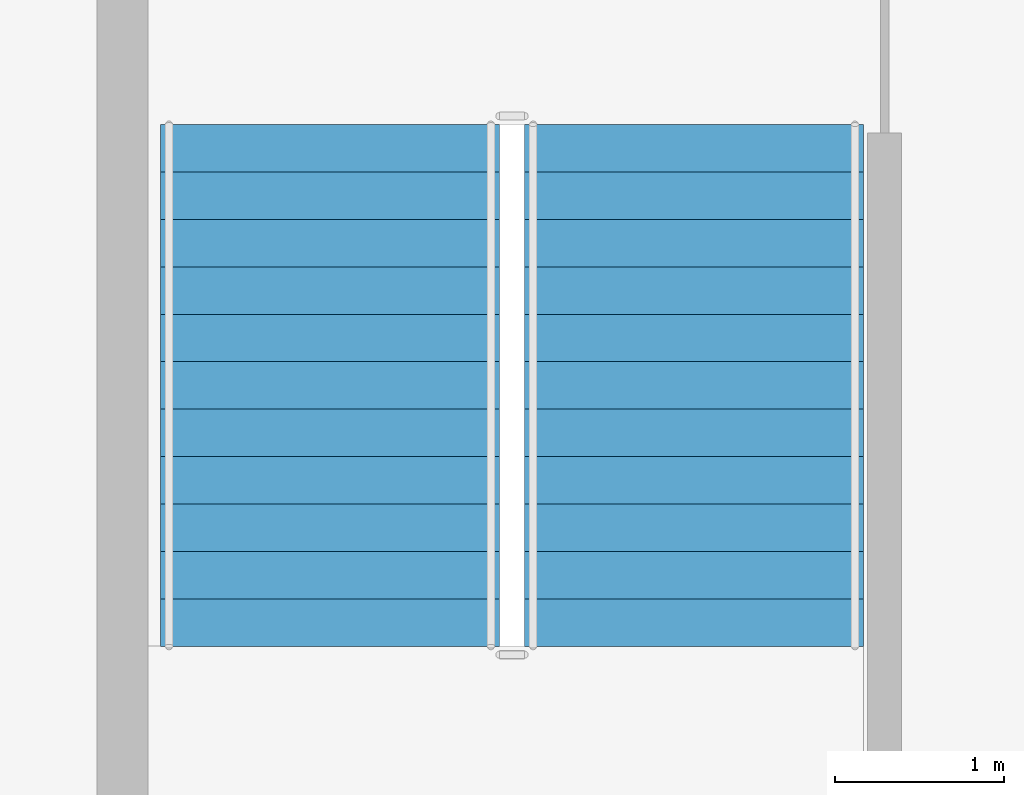
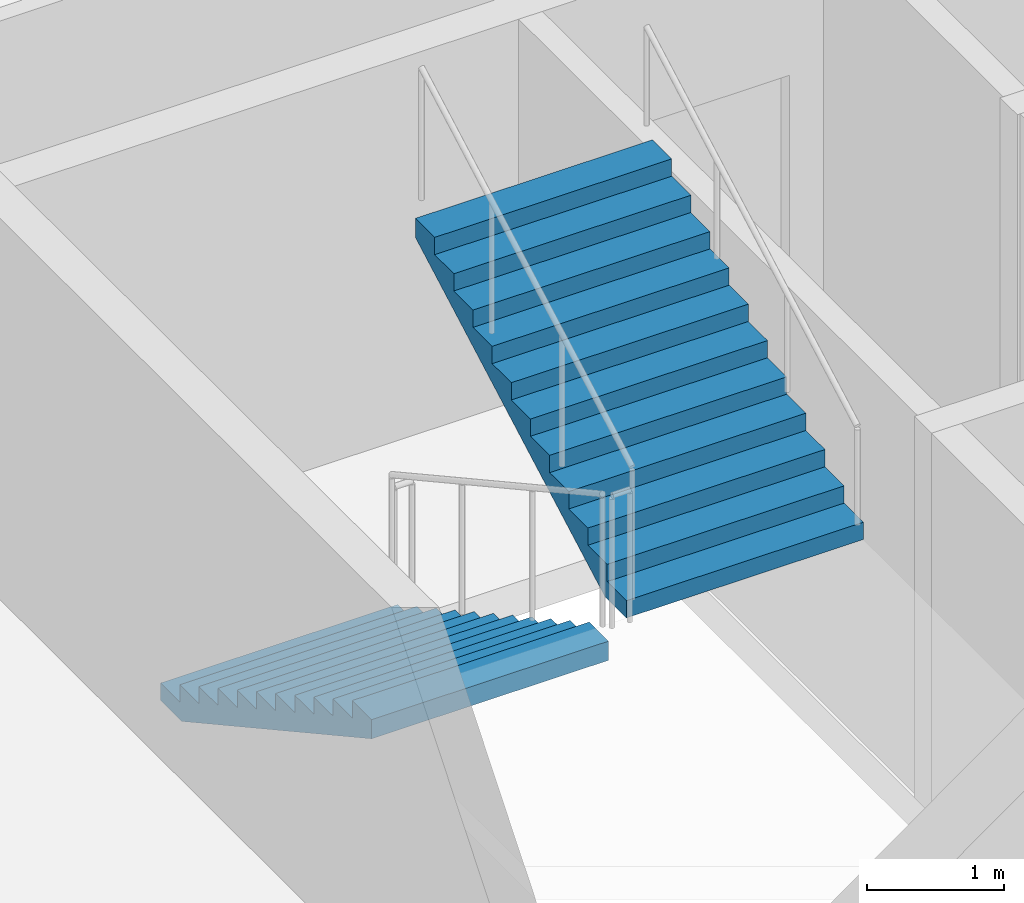
# One storey, part 6 of 10: 2 stair flights, 1 element without a shape of its own.
"""IFC4 building model written with IfcOpenShell, lengths in metres."""

from ifc_helpers import new_model, si_unit, direction, frame, origin, place, context, subcontext, project, spatial, polygons, material, type_object, element, aggregate, save


model = new_model("IFC4")

# Units and contexts
model_context = context("Model", 3, precision=1e-05, world=origin(), true_north=direction((0.0, 1.0)))
body_context = subcontext(model_context, "Body", "Model", "MODEL_VIEW")
ifc_project = project(units=[si_unit("LENGTHUNIT", "METRE"), si_unit("AREAUNIT", "SQUARE_METRE"), si_unit("VOLUMEUNIT", "CUBIC_METRE"), si_unit("PLANEANGLEUNIT", "RADIAN"), si_unit("MASSUNIT", "GRAM", prefix="KILO")], contexts=[model_context])

# Site, building, storey
site_placement = place(None, origin())
site = spatial("IfcSite", under=ifc_project, at=site_placement, CompositionType="ELEMENT")
building_placement = place(site_placement, origin())
building = spatial("IfcBuilding", under=site, at=building_placement, Name="Caravel Reach Hotel and Residences", CompositionType="ELEMENT")
storey_placement = place(building_placement, frame((0.0, 0.0, 290.800048828125)))
storey = spatial("IfcBuildingStorey", under=building, at=storey_placement, Name="L74", CompositionType="ELEMENT", Elevation=290.800048828125)

# Stair, stair flights
ifc_material_1 = material(Name="Concrete C40", Category="concrete")
stair_type = type_object("IfcStairType", Name="Core stair", PredefinedType="HALF_TURN_STAIR", material=ifc_material_1)
stair_placement = place(storey_placement, origin())
stair = element("IfcStair", 1, at=stair_placement, inside=storey, type_object=stair_type, Name="L74 Exit stair A", PredefinedType="HALF_TURN_STAIR")
ifc_material_2 = material(Name="Concrete C40", Category="concrete")
stair_flight_type = type_object("IfcStairFlightType", Name="Core stair flight", PredefinedType="STRAIGHT", material=ifc_material_2)
stair_flight_1_placement = place(storey_placement, frame((19.22509765625, 29.35009765625, 0.0), z_axis=(0.0, 0.0, 1.0), x_axis=(0.0, -1.0, 0.0)))
stair_flight_1 = element("IfcStairFlight", 2, at=stair_flight_1_placement, type_object=stair_flight_type, Name="ST-A flight 1", NumberOfRisers=12, NumberOfTreads=11, PredefinedType="STRAIGHT", RiserHeight=0.154166667, TreadLength=0.28, context=body_context, shape_type="Tessellation", body=[
    polygons([(0.3107950034306102, 1.0, 0.0), (0.3107950034306102, 0.6666666666666667, 0.0), (0.3107950034306102, 0.33333333333333337, 0.0), (0.3107950034306102, 0.0, 0.0), (0.3107950034306102, -0.33333333333333326, 0.0), (0.3107950034306102, -0.6666666666666667, 0.0), (0.3107950034306102, -1.0, 0.0), (3.081, 1.0, 1.524711087717319), (3.081, 0.6666666666666667, 1.524711087717319), (3.081, 0.33333333333333337, 1.524711087717319), (3.081, 0.0, 1.524711087717319), (3.081, -0.33333333333333326, 1.524711087717319), (3.081, -0.6666666666666667, 1.524711087717319), (3.081, -1.0, 1.524711087717319), (3.081, 1.0, 1.695833337), (3.081, 0.6666666666666667, 1.695833337), (3.081, 0.33333333333333337, 1.695833337), (3.081, 0.0, 1.695833337), (3.081, -0.33333333333333326, 1.695833337), (3.081, -0.6666666666666667, 1.695833337), (3.081, -1.0, 1.695833337), (2.8000000000000003, 1.0, 1.695833337), (2.8000000000000003, 0.6666666666666667, 1.695833337), (2.8000000000000003, 0.33333333333333337, 1.695833337), (2.8000000000000003, 0.0, 1.695833337), (2.8000000000000003, -0.33333333333333326, 1.695833337), (2.8000000000000003, -0.6666666666666667, 1.695833337), (2.8000000000000003, -1.0, 1.695833337), (2.8000000000000003, 1.0, 1.5416666700000001), (2.8000000000000003, 0.6666666666666667, 1.5416666700000001), (2.8000000000000003, 0.33333333333333337, 1.5416666700000001), (2.8000000000000003, 0.0, 1.5416666700000001), (2.8000000000000003, -0.33333333333333326, 1.5416666700000001), (2.8000000000000003, -0.6666666666666667, 1.5416666700000001), (2.8000000000000003, -1.0, 1.5416666700000001), (2.5200000000000005, 1.0, 1.5416666700000001), (2.5200000000000005, 0.6666666666666667, 1.5416666700000001), (2.5200000000000005, 0.33333333333333337, 1.5416666700000001), (2.5200000000000005, 0.0, 1.5416666700000001), (2.5200000000000005, -0.33333333333333326, 1.5416666700000001), (2.5200000000000005, -0.6666666666666667, 1.5416666700000001), (2.5200000000000005, -1.0, 1.5416666700000001), (2.5200000000000005, 1.0, 1.387500003), (2.5200000000000005, 0.6666666666666667, 1.387500003), (2.5200000000000005, 0.33333333333333337, 1.387500003), (2.5200000000000005, 0.0, 1.387500003), (2.5200000000000005, -0.33333333333333326, 1.387500003), (2.5200000000000005, -0.6666666666666667, 1.387500003), (2.5200000000000005, -1.0, 1.387500003), (2.24, 1.0, 1.387500003), (2.24, 0.6666666666666667, 1.387500003), (2.24, 0.33333333333333337, 1.387500003), (2.24, 0.0, 1.387500003), (2.24, -0.33333333333333326, 1.387500003), (2.24, -0.6666666666666667, 1.387500003), (2.24, -1.0, 1.387500003), (2.24, 1.0, 1.233333336), (2.24, 0.6666666666666667, 1.233333336), (2.24, 0.33333333333333337, 1.233333336), (2.24, 0.0, 1.233333336), (2.24, -0.33333333333333326, 1.233333336), (2.24, -0.6666666666666667, 1.233333336), (2.24, -1.0, 1.233333336), (1.9600000000000002, 1.0, 1.233333336), (1.9600000000000002, 0.6666666666666667, 1.233333336), (1.9600000000000002, 0.33333333333333337, 1.233333336), (1.9600000000000002, 0.0, 1.233333336), (1.9600000000000002, -0.33333333333333326, 1.233333336), (1.9600000000000002, -0.6666666666666667, 1.233333336), (1.9600000000000002, -1.0, 1.233333336), (1.9600000000000002, 1.0, 1.0791666690000001), (1.9600000000000002, 0.6666666666666667, 1.0791666690000001), (1.9600000000000002, 0.33333333333333337, 1.0791666690000001), (1.9600000000000002, 0.0, 1.0791666690000001), (1.9600000000000002, -0.33333333333333326, 1.0791666690000001), (1.9600000000000002, -0.6666666666666667, 1.0791666690000001), (1.9600000000000002, -1.0, 1.0791666690000001), (1.6800000000000002, 1.0, 1.0791666690000001), (1.6800000000000002, 0.6666666666666667, 1.0791666690000001), (1.6800000000000002, 0.33333333333333337, 1.0791666690000001), (1.6800000000000002, 0.0, 1.0791666690000001), (1.6800000000000002, -0.33333333333333326, 1.0791666690000001), (1.6800000000000002, -0.6666666666666667, 1.0791666690000001), (1.6800000000000002, -1.0, 1.0791666690000001), (1.6800000000000002, 1.0, 0.925000002), (1.6800000000000002, 0.6666666666666667, 0.925000002), (1.6800000000000002, 0.33333333333333337, 0.925000002), (1.6800000000000002, 0.0, 0.925000002), (1.6800000000000002, -0.33333333333333326, 0.925000002), (1.6800000000000002, -0.6666666666666667, 0.925000002), (1.6800000000000002, -1.0, 0.925000002), (1.4000000000000001, 1.0, 0.925000002), (1.4000000000000001, 0.6666666666666667, 0.925000002), (1.4000000000000001, 0.33333333333333337, 0.925000002), (1.4000000000000001, 0.0, 0.925000002), (1.4000000000000001, -0.33333333333333326, 0.925000002), (1.4000000000000001, -0.6666666666666667, 0.925000002), (1.4000000000000001, -1.0, 0.925000002), (1.4000000000000001, 1.0, 0.7708333350000001), (1.4000000000000001, 0.6666666666666667, 0.7708333350000001), (1.4000000000000001, 0.33333333333333337, 0.7708333350000001), (1.4000000000000001, 0.0, 0.7708333350000001), (1.4000000000000001, -0.33333333333333326, 0.7708333350000001), (1.4000000000000001, -0.6666666666666667, 0.7708333350000001), (1.4000000000000001, -1.0, 0.7708333350000001), (1.12, 1.0, 0.7708333350000001), (1.12, 0.6666666666666667, 0.7708333350000001), (1.12, 0.33333333333333337, 0.7708333350000001), (1.12, 0.0, 0.7708333350000001), (1.12, -0.33333333333333326, 0.7708333350000001), (1.12, -0.6666666666666667, 0.7708333350000001), (1.12, -1.0, 0.7708333350000001), (1.12, 1.0, 0.616666668), (1.12, 0.6666666666666667, 0.616666668), (1.12, 0.33333333333333337, 0.616666668), (1.12, 0.0, 0.616666668), (1.12, -0.33333333333333326, 0.616666668), (1.12, -0.6666666666666667, 0.616666668), (1.12, -1.0, 0.616666668), (0.8400000000000001, 1.0, 0.616666668), (0.8400000000000001, 0.6666666666666667, 0.616666668), (0.8400000000000001, 0.33333333333333337, 0.616666668), (0.8400000000000001, 0.0, 0.616666668), (0.8400000000000001, -0.33333333333333326, 0.616666668), (0.8400000000000001, -0.6666666666666667, 0.616666668), (0.8400000000000001, -1.0, 0.616666668), (0.8400000000000001, 1.0, 0.462500001), (0.8400000000000001, 0.6666666666666667, 0.462500001), (0.8400000000000001, 0.33333333333333337, 0.462500001), (0.8400000000000001, 0.0, 0.462500001), (0.8400000000000001, -0.33333333333333326, 0.462500001), (0.8400000000000001, -0.6666666666666667, 0.462500001), (0.8400000000000001, -1.0, 0.462500001), (0.56, 1.0, 0.462500001), (0.56, 0.6666666666666667, 0.462500001), (0.56, 0.33333333333333337, 0.462500001), (0.56, 0.0, 0.462500001), (0.56, -0.33333333333333326, 0.462500001), (0.56, -0.6666666666666667, 0.462500001), (0.56, -1.0, 0.462500001), (0.56, 1.0, 0.308333334), (0.56, 0.6666666666666667, 0.308333334), (0.56, 0.33333333333333337, 0.308333334), (0.56, 0.0, 0.308333334), (0.56, -0.33333333333333326, 0.308333334), (0.56, -0.6666666666666667, 0.308333334), (0.56, -1.0, 0.308333334), (0.28, 1.0, 0.308333334), (0.28, 0.6666666666666667, 0.308333334), (0.28, 0.33333333333333337, 0.308333334), (0.28, 0.0, 0.308333334), (0.28, -0.33333333333333326, 0.308333334), (0.28, -0.6666666666666667, 0.308333334), (0.28, -1.0, 0.308333334), (0.28, 1.0, 0.154166667), (0.28, 0.6666666666666667, 0.154166667), (0.28, 0.33333333333333337, 0.154166667), (0.28, 0.0, 0.154166667), (0.28, -0.33333333333333326, 0.154166667), (0.28, -0.6666666666666667, 0.154166667), (0.28, -1.0, 0.154166667), (-0.001, 1.0, 0.154166667), (-0.001, 0.6666666666666667, 0.154166667), (-0.001, 0.33333333333333337, 0.154166667), (-0.001, 0.0, 0.154166667), (-0.001, -0.33333333333333326, 0.154166667), (-0.001, -0.6666666666666667, 0.154166667), (-0.001, -1.0, 0.154166667), (-0.001, 1.0, 0.0), (-0.001, 0.6666666666666667, 0.0), (-0.001, 0.33333333333333337, 0.0), (-0.001, 0.0, 0.0), (-0.001, -0.33333333333333326, 0.0), (-0.001, -0.6666666666666667, 0.0), (-0.001, -1.0, 0.0)], [[[169, 162, 155, 148, 141, 134, 127, 120, 113, 106, 99, 92, 85, 78, 71, 64, 57, 50, 43, 36, 29, 22, 15, 8, 1]], [[7, 14, 21, 28, 35, 42, 49, 56, 63, 70, 77, 84, 91, 98, 105, 112, 119, 126, 133, 140, 147, 154, 161, 168, 175]], [[1, 8, 9, 2]], [[2, 9, 10, 3]], [[3, 10, 11, 4]], [[4, 11, 12, 5]], [[5, 12, 13, 6]], [[6, 13, 14, 7]], [[8, 15, 16, 9]], [[9, 16, 17, 10]], [[10, 17, 18, 11]], [[11, 18, 19, 12]], [[12, 19, 20, 13]], [[13, 20, 21, 14]], [[15, 22, 23, 16]], [[16, 23, 24, 17]], [[17, 24, 25, 18]], [[18, 25, 26, 19]], [[19, 26, 27, 20]], [[20, 27, 28, 21]], [[22, 29, 30, 23]], [[23, 30, 31, 24]], [[24, 31, 32, 25]], [[25, 32, 33, 26]], [[26, 33, 34, 27]], [[27, 34, 35, 28]], [[29, 36, 37, 30]], [[30, 37, 38, 31]], [[31, 38, 39, 32]], [[32, 39, 40, 33]], [[33, 40, 41, 34]], [[34, 41, 42, 35]], [[36, 43, 44, 37]], [[37, 44, 45, 38]], [[38, 45, 46, 39]], [[39, 46, 47, 40]], [[40, 47, 48, 41]], [[41, 48, 49, 42]], [[43, 50, 51, 44]], [[44, 51, 52, 45]], [[45, 52, 53, 46]], [[46, 53, 54, 47]], [[47, 54, 55, 48]], [[48, 55, 56, 49]], [[50, 57, 58, 51]], [[51, 58, 59, 52]], [[52, 59, 60, 53]], [[53, 60, 61, 54]], [[54, 61, 62, 55]], [[55, 62, 63, 56]], [[57, 64, 65, 58]], [[58, 65, 66, 59]], [[59, 66, 67, 60]], [[60, 67, 68, 61]], [[61, 68, 69, 62]], [[62, 69, 70, 63]], [[64, 71, 72, 65]], [[65, 72, 73, 66]], [[66, 73, 74, 67]], [[67, 74, 75, 68]], [[68, 75, 76, 69]], [[69, 76, 77, 70]], [[71, 78, 79, 72]], [[72, 79, 80, 73]], [[73, 80, 81, 74]], [[74, 81, 82, 75]], [[75, 82, 83, 76]], [[76, 83, 84, 77]], [[78, 85, 86, 79]], [[79, 86, 87, 80]], [[80, 87, 88, 81]], [[81, 88, 89, 82]], [[82, 89, 90, 83]], [[83, 90, 91, 84]], [[85, 92, 93, 86]], [[86, 93, 94, 87]], [[87, 94, 95, 88]], [[88, 95, 96, 89]], [[89, 96, 97, 90]], [[90, 97, 98, 91]], [[92, 99, 100, 93]], [[93, 100, 101, 94]], [[94, 101, 102, 95]], [[95, 102, 103, 96]], [[96, 103, 104, 97]], [[97, 104, 105, 98]], [[99, 106, 107, 100]], [[100, 107, 108, 101]], [[101, 108, 109, 102]], [[102, 109, 110, 103]], [[103, 110, 111, 104]], [[104, 111, 112, 105]], [[106, 113, 114, 107]], [[107, 114, 115, 108]], [[108, 115, 116, 109]], [[109, 116, 117, 110]], [[110, 117, 118, 111]], [[111, 118, 119, 112]], [[113, 120, 121, 114]], [[114, 121, 122, 115]], [[115, 122, 123, 116]], [[116, 123, 124, 117]], [[117, 124, 125, 118]], [[118, 125, 126, 119]], [[120, 127, 128, 121]], [[121, 128, 129, 122]], [[122, 129, 130, 123]], [[123, 130, 131, 124]], [[124, 131, 132, 125]], [[125, 132, 133, 126]], [[127, 134, 135, 128]], [[128, 135, 136, 129]], [[129, 136, 137, 130]], [[130, 137, 138, 131]], [[131, 138, 139, 132]], [[132, 139, 140, 133]], [[134, 141, 142, 135]], [[135, 142, 143, 136]], [[136, 143, 144, 137]], [[137, 144, 145, 138]], [[138, 145, 146, 139]], [[139, 146, 147, 140]], [[141, 148, 149, 142]], [[142, 149, 150, 143]], [[143, 150, 151, 144]], [[144, 151, 152, 145]], [[145, 152, 153, 146]], [[146, 153, 154, 147]], [[148, 155, 156, 149]], [[149, 156, 157, 150]], [[150, 157, 158, 151]], [[151, 158, 159, 152]], [[152, 159, 160, 153]], [[153, 160, 161, 154]], [[155, 162, 163, 156]], [[156, 163, 164, 157]], [[157, 164, 165, 158]], [[158, 165, 166, 159]], [[159, 166, 167, 160]], [[160, 167, 168, 161]], [[162, 169, 170, 163]], [[163, 170, 171, 164]], [[164, 171, 172, 165]], [[165, 172, 173, 166]], [[166, 173, 174, 167]], [[167, 174, 175, 168]], [[169, 1, 2, 170]], [[170, 2, 3, 171]], [[171, 3, 4, 172]], [[172, 4, 5, 173]], [[173, 5, 6, 174]], [[174, 6, 7, 175]]], closed=True),
])
stair_flight_2_placement = place(storey_placement, frame((21.375, 26.27001953125, 1.849853515625), z_axis=(0.0, 0.0, 1.0), x_axis=(0.0, 1.0, 0.0)))
stair_flight_2 = element("IfcStairFlight", 3, at=stair_flight_2_placement, type_object=stair_flight_type, Name="ST-A flight 2", NumberOfRisers=12, NumberOfTreads=11, PredefinedType="STRAIGHT", RiserHeight=0.154166667, TreadLength=0.28, context=body_context, shape_type="Tessellation", body=[
    polygons([(0.3107950034306102, 1.0, 0.0), (0.3107950034306102, 0.6666666666666667, 0.0), (0.3107950034306102, 0.33333333333333337, 0.0), (0.3107950034306102, 0.0, 0.0), (0.3107950034306102, -0.33333333333333326, 0.0), (0.3107950034306102, -0.6666666666666667, 0.0), (0.3107950034306102, -1.0, 0.0), (3.081, 1.0, 1.524711087717319), (3.081, 0.6666666666666667, 1.524711087717319), (3.081, 0.33333333333333337, 1.524711087717319), (3.081, 0.0, 1.524711087717319), (3.081, -0.33333333333333326, 1.524711087717319), (3.081, -0.6666666666666667, 1.524711087717319), (3.081, -1.0, 1.524711087717319), (3.081, 1.0, 1.695833337), (3.081, 0.6666666666666667, 1.695833337), (3.081, 0.33333333333333337, 1.695833337), (3.081, 0.0, 1.695833337), (3.081, -0.33333333333333326, 1.695833337), (3.081, -0.6666666666666667, 1.695833337), (3.081, -1.0, 1.695833337), (2.8000000000000003, 1.0, 1.695833337), (2.8000000000000003, 0.6666666666666667, 1.695833337), (2.8000000000000003, 0.33333333333333337, 1.695833337), (2.8000000000000003, 0.0, 1.695833337), (2.8000000000000003, -0.33333333333333326, 1.695833337), (2.8000000000000003, -0.6666666666666667, 1.695833337), (2.8000000000000003, -1.0, 1.695833337), (2.8000000000000003, 1.0, 1.5416666700000001), (2.8000000000000003, 0.6666666666666667, 1.5416666700000001), (2.8000000000000003, 0.33333333333333337, 1.5416666700000001), (2.8000000000000003, 0.0, 1.5416666700000001), (2.8000000000000003, -0.33333333333333326, 1.5416666700000001), (2.8000000000000003, -0.6666666666666667, 1.5416666700000001), (2.8000000000000003, -1.0, 1.5416666700000001), (2.5200000000000005, 1.0, 1.5416666700000001), (2.5200000000000005, 0.6666666666666667, 1.5416666700000001), (2.5200000000000005, 0.33333333333333337, 1.5416666700000001), (2.5200000000000005, 0.0, 1.5416666700000001), (2.5200000000000005, -0.33333333333333326, 1.5416666700000001), (2.5200000000000005, -0.6666666666666667, 1.5416666700000001), (2.5200000000000005, -1.0, 1.5416666700000001), (2.5200000000000005, 1.0, 1.387500003), (2.5200000000000005, 0.6666666666666667, 1.387500003), (2.5200000000000005, 0.33333333333333337, 1.387500003), (2.5200000000000005, 0.0, 1.387500003), (2.5200000000000005, -0.33333333333333326, 1.387500003), (2.5200000000000005, -0.6666666666666667, 1.387500003), (2.5200000000000005, -1.0, 1.387500003), (2.24, 1.0, 1.387500003), (2.24, 0.6666666666666667, 1.387500003), (2.24, 0.33333333333333337, 1.387500003), (2.24, 0.0, 1.387500003), (2.24, -0.33333333333333326, 1.387500003), (2.24, -0.6666666666666667, 1.387500003), (2.24, -1.0, 1.387500003), (2.24, 1.0, 1.233333336), (2.24, 0.6666666666666667, 1.233333336), (2.24, 0.33333333333333337, 1.233333336), (2.24, 0.0, 1.233333336), (2.24, -0.33333333333333326, 1.233333336), (2.24, -0.6666666666666667, 1.233333336), (2.24, -1.0, 1.233333336), (1.9600000000000002, 1.0, 1.233333336), (1.9600000000000002, 0.6666666666666667, 1.233333336), (1.9600000000000002, 0.33333333333333337, 1.233333336), (1.9600000000000002, 0.0, 1.233333336), (1.9600000000000002, -0.33333333333333326, 1.233333336), (1.9600000000000002, -0.6666666666666667, 1.233333336), (1.9600000000000002, -1.0, 1.233333336), (1.9600000000000002, 1.0, 1.0791666690000001), (1.9600000000000002, 0.6666666666666667, 1.0791666690000001), (1.9600000000000002, 0.33333333333333337, 1.0791666690000001), (1.9600000000000002, 0.0, 1.0791666690000001), (1.9600000000000002, -0.33333333333333326, 1.0791666690000001), (1.9600000000000002, -0.6666666666666667, 1.0791666690000001), (1.9600000000000002, -1.0, 1.0791666690000001), (1.6800000000000002, 1.0, 1.0791666690000001), (1.6800000000000002, 0.6666666666666667, 1.0791666690000001), (1.6800000000000002, 0.33333333333333337, 1.0791666690000001), (1.6800000000000002, 0.0, 1.0791666690000001), (1.6800000000000002, -0.33333333333333326, 1.0791666690000001), (1.6800000000000002, -0.6666666666666667, 1.0791666690000001), (1.6800000000000002, -1.0, 1.0791666690000001), (1.6800000000000002, 1.0, 0.925000002), (1.6800000000000002, 0.6666666666666667, 0.925000002), (1.6800000000000002, 0.33333333333333337, 0.925000002), (1.6800000000000002, 0.0, 0.925000002), (1.6800000000000002, -0.33333333333333326, 0.925000002), (1.6800000000000002, -0.6666666666666667, 0.925000002), (1.6800000000000002, -1.0, 0.925000002), (1.4000000000000001, 1.0, 0.925000002), (1.4000000000000001, 0.6666666666666667, 0.925000002), (1.4000000000000001, 0.33333333333333337, 0.925000002), (1.4000000000000001, 0.0, 0.925000002), (1.4000000000000001, -0.33333333333333326, 0.925000002), (1.4000000000000001, -0.6666666666666667, 0.925000002), (1.4000000000000001, -1.0, 0.925000002), (1.4000000000000001, 1.0, 0.7708333350000001), (1.4000000000000001, 0.6666666666666667, 0.7708333350000001), (1.4000000000000001, 0.33333333333333337, 0.7708333350000001), (1.4000000000000001, 0.0, 0.7708333350000001), (1.4000000000000001, -0.33333333333333326, 0.7708333350000001), (1.4000000000000001, -0.6666666666666667, 0.7708333350000001), (1.4000000000000001, -1.0, 0.7708333350000001), (1.12, 1.0, 0.7708333350000001), (1.12, 0.6666666666666667, 0.7708333350000001), (1.12, 0.33333333333333337, 0.7708333350000001), (1.12, 0.0, 0.7708333350000001), (1.12, -0.33333333333333326, 0.7708333350000001), (1.12, -0.6666666666666667, 0.7708333350000001), (1.12, -1.0, 0.7708333350000001), (1.12, 1.0, 0.616666668), (1.12, 0.6666666666666667, 0.616666668), (1.12, 0.33333333333333337, 0.616666668), (1.12, 0.0, 0.616666668), (1.12, -0.33333333333333326, 0.616666668), (1.12, -0.6666666666666667, 0.616666668), (1.12, -1.0, 0.616666668), (0.8400000000000001, 1.0, 0.616666668), (0.8400000000000001, 0.6666666666666667, 0.616666668), (0.8400000000000001, 0.33333333333333337, 0.616666668), (0.8400000000000001, 0.0, 0.616666668), (0.8400000000000001, -0.33333333333333326, 0.616666668), (0.8400000000000001, -0.6666666666666667, 0.616666668), (0.8400000000000001, -1.0, 0.616666668), (0.8400000000000001, 1.0, 0.462500001), (0.8400000000000001, 0.6666666666666667, 0.462500001), (0.8400000000000001, 0.33333333333333337, 0.462500001), (0.8400000000000001, 0.0, 0.462500001), (0.8400000000000001, -0.33333333333333326, 0.462500001), (0.8400000000000001, -0.6666666666666667, 0.462500001), (0.8400000000000001, -1.0, 0.462500001), (0.56, 1.0, 0.462500001), (0.56, 0.6666666666666667, 0.462500001), (0.56, 0.33333333333333337, 0.462500001), (0.56, 0.0, 0.462500001), (0.56, -0.33333333333333326, 0.462500001), (0.56, -0.6666666666666667, 0.462500001), (0.56, -1.0, 0.462500001), (0.56, 1.0, 0.308333334), (0.56, 0.6666666666666667, 0.308333334), (0.56, 0.33333333333333337, 0.308333334), (0.56, 0.0, 0.308333334), (0.56, -0.33333333333333326, 0.308333334), (0.56, -0.6666666666666667, 0.308333334), (0.56, -1.0, 0.308333334), (0.28, 1.0, 0.308333334), (0.28, 0.6666666666666667, 0.308333334), (0.28, 0.33333333333333337, 0.308333334), (0.28, 0.0, 0.308333334), (0.28, -0.33333333333333326, 0.308333334), (0.28, -0.6666666666666667, 0.308333334), (0.28, -1.0, 0.308333334), (0.28, 1.0, 0.154166667), (0.28, 0.6666666666666667, 0.154166667), (0.28, 0.33333333333333337, 0.154166667), (0.28, 0.0, 0.154166667), (0.28, -0.33333333333333326, 0.154166667), (0.28, -0.6666666666666667, 0.154166667), (0.28, -1.0, 0.154166667), (-0.001, 1.0, 0.154166667), (-0.001, 0.6666666666666667, 0.154166667), (-0.001, 0.33333333333333337, 0.154166667), (-0.001, 0.0, 0.154166667), (-0.001, -0.33333333333333326, 0.154166667), (-0.001, -0.6666666666666667, 0.154166667), (-0.001, -1.0, 0.154166667), (-0.001, 1.0, 0.0), (-0.001, 0.6666666666666667, 0.0), (-0.001, 0.33333333333333337, 0.0), (-0.001, 0.0, 0.0), (-0.001, -0.33333333333333326, 0.0), (-0.001, -0.6666666666666667, 0.0), (-0.001, -1.0, 0.0)], [[[169, 162, 155, 148, 141, 134, 127, 120, 113, 106, 99, 92, 85, 78, 71, 64, 57, 50, 43, 36, 29, 22, 15, 8, 1]], [[7, 14, 21, 28, 35, 42, 49, 56, 63, 70, 77, 84, 91, 98, 105, 112, 119, 126, 133, 140, 147, 154, 161, 168, 175]], [[1, 8, 9, 2]], [[2, 9, 10, 3]], [[3, 10, 11, 4]], [[4, 11, 12, 5]], [[5, 12, 13, 6]], [[6, 13, 14, 7]], [[8, 15, 16, 9]], [[9, 16, 17, 10]], [[10, 17, 18, 11]], [[11, 18, 19, 12]], [[12, 19, 20, 13]], [[13, 20, 21, 14]], [[15, 22, 23, 16]], [[16, 23, 24, 17]], [[17, 24, 25, 18]], [[18, 25, 26, 19]], [[19, 26, 27, 20]], [[20, 27, 28, 21]], [[22, 29, 30, 23]], [[23, 30, 31, 24]], [[24, 31, 32, 25]], [[25, 32, 33, 26]], [[26, 33, 34, 27]], [[27, 34, 35, 28]], [[29, 36, 37, 30]], [[30, 37, 38, 31]], [[31, 38, 39, 32]], [[32, 39, 40, 33]], [[33, 40, 41, 34]], [[34, 41, 42, 35]], [[36, 43, 44, 37]], [[37, 44, 45, 38]], [[38, 45, 46, 39]], [[39, 46, 47, 40]], [[40, 47, 48, 41]], [[41, 48, 49, 42]], [[43, 50, 51, 44]], [[44, 51, 52, 45]], [[45, 52, 53, 46]], [[46, 53, 54, 47]], [[47, 54, 55, 48]], [[48, 55, 56, 49]], [[50, 57, 58, 51]], [[51, 58, 59, 52]], [[52, 59, 60, 53]], [[53, 60, 61, 54]], [[54, 61, 62, 55]], [[55, 62, 63, 56]], [[57, 64, 65, 58]], [[58, 65, 66, 59]], [[59, 66, 67, 60]], [[60, 67, 68, 61]], [[61, 68, 69, 62]], [[62, 69, 70, 63]], [[64, 71, 72, 65]], [[65, 72, 73, 66]], [[66, 73, 74, 67]], [[67, 74, 75, 68]], [[68, 75, 76, 69]], [[69, 76, 77, 70]], [[71, 78, 79, 72]], [[72, 79, 80, 73]], [[73, 80, 81, 74]], [[74, 81, 82, 75]], [[75, 82, 83, 76]], [[76, 83, 84, 77]], [[78, 85, 86, 79]], [[79, 86, 87, 80]], [[80, 87, 88, 81]], [[81, 88, 89, 82]], [[82, 89, 90, 83]], [[83, 90, 91, 84]], [[85, 92, 93, 86]], [[86, 93, 94, 87]], [[87, 94, 95, 88]], [[88, 95, 96, 89]], [[89, 96, 97, 90]], [[90, 97, 98, 91]], [[92, 99, 100, 93]], [[93, 100, 101, 94]], [[94, 101, 102, 95]], [[95, 102, 103, 96]], [[96, 103, 104, 97]], [[97, 104, 105, 98]], [[99, 106, 107, 100]], [[100, 107, 108, 101]], [[101, 108, 109, 102]], [[102, 109, 110, 103]], [[103, 110, 111, 104]], [[104, 111, 112, 105]], [[106, 113, 114, 107]], [[107, 114, 115, 108]], [[108, 115, 116, 109]], [[109, 116, 117, 110]], [[110, 117, 118, 111]], [[111, 118, 119, 112]], [[113, 120, 121, 114]], [[114, 121, 122, 115]], [[115, 122, 123, 116]], [[116, 123, 124, 117]], [[117, 124, 125, 118]], [[118, 125, 126, 119]], [[120, 127, 128, 121]], [[121, 128, 129, 122]], [[122, 129, 130, 123]], [[123, 130, 131, 124]], [[124, 131, 132, 125]], [[125, 132, 133, 126]], [[127, 134, 135, 128]], [[128, 135, 136, 129]], [[129, 136, 137, 130]], [[130, 137, 138, 131]], [[131, 138, 139, 132]], [[132, 139, 140, 133]], [[134, 141, 142, 135]], [[135, 142, 143, 136]], [[136, 143, 144, 137]], [[137, 144, 145, 138]], [[138, 145, 146, 139]], [[139, 146, 147, 140]], [[141, 148, 149, 142]], [[142, 149, 150, 143]], [[143, 150, 151, 144]], [[144, 151, 152, 145]], [[145, 152, 153, 146]], [[146, 153, 154, 147]], [[148, 155, 156, 149]], [[149, 156, 157, 150]], [[150, 157, 158, 151]], [[151, 158, 159, 152]], [[152, 159, 160, 153]], [[153, 160, 161, 154]], [[155, 162, 163, 156]], [[156, 163, 164, 157]], [[157, 164, 165, 158]], [[158, 165, 166, 159]], [[159, 166, 167, 160]], [[160, 167, 168, 161]], [[162, 169, 170, 163]], [[163, 170, 171, 164]], [[164, 171, 172, 165]], [[165, 172, 173, 166]], [[166, 173, 174, 167]], [[167, 174, 175, 168]], [[169, 1, 2, 170]], [[170, 2, 3, 171]], [[171, 3, 4, 172]], [[172, 4, 5, 173]], [[173, 5, 6, 174]], [[174, 6, 7, 175]]], closed=True),
])
aggregate(stair, [stair_flight_1, stair_flight_2])

save(model, "model.ifc")
